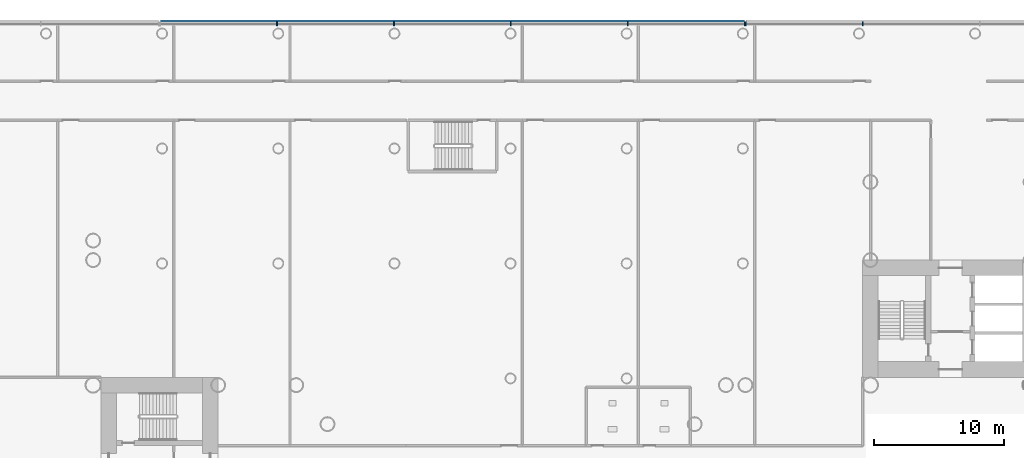
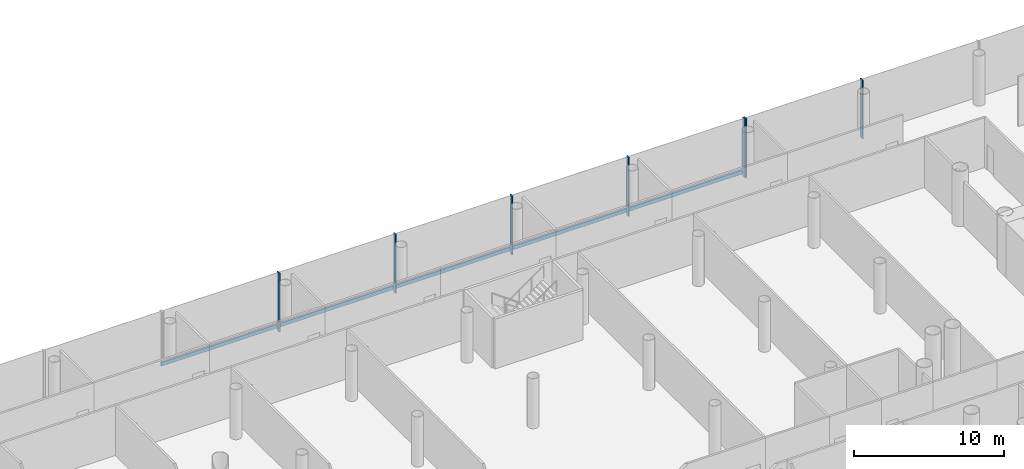
# One storey, part 11 of 49: 8 members, 2 elements without a shape of their own.
"""IFC4 building model written with IfcOpenShell, lengths in metres."""

from ifc_helpers import new_model, si_unit, direction, frame, origin, origin_2d, place, context, subcontext, project, spatial, rectangle, extrude, material, layer, layer_set, material_profile, profile_set, type_object, element, aggregate, save


model = new_model("IFC4")

# Units and contexts
model_context = context("Model", 3, precision=1e-05, world=origin(), true_north=direction((0.0, 1.0)))
body_context = subcontext(model_context, "Body", "Model", "MODEL_VIEW")
ifc_project = project(units=[si_unit("LENGTHUNIT", "METRE"), si_unit("AREAUNIT", "SQUARE_METRE"), si_unit("VOLUMEUNIT", "CUBIC_METRE"), si_unit("PLANEANGLEUNIT", "RADIAN"), si_unit("MASSUNIT", "GRAM", prefix="KILO")], contexts=[model_context])

# Site, building, storey
site_placement = place(None, origin())
site = spatial("IfcSite", under=ifc_project, at=site_placement, CompositionType="ELEMENT")
building_placement = place(site_placement, origin())
building = spatial("IfcBuilding", under=site, at=building_placement, Name="Ipe Terrace Towers", CompositionType="ELEMENT")
storey_placement = place(building_placement, frame((0.0, 0.0, 20.0)))
storey = spatial("IfcBuildingStorey", under=building, at=storey_placement, Name="L04", CompositionType="ELEMENT", Elevation=20.0)

# Curtain wall, members
ifc_material_1 = material(Name="Aluminium alloy 6063-T6", Category="aluminium")
ifc_layer = layer(ifc_material_1, 0.43994140625)
ifc_layer_set = layer_set([ifc_layer], Name="PODIUM GLAZING CURTAIN WALL")
curtain_wall_type = type_object("IfcCurtainWallType", Name="PODIUM GLAZING CURTAIN WALL", PredefinedType="NOTDEFINED", material=ifc_layer_set)
curtain_wall_1_placement = place(storey_placement, origin())
curtain_wall_1 = element("IfcCurtainWall", 1, at=curtain_wall_1_placement, inside=storey, type_object=curtain_wall_type, Name="POD-CW-L04-01a curtain wall", PredefinedType="NOTDEFINED")
ifc_material_2 = material(Name="Aluminium alloy 6063-T6", Category="aluminium")
ifc_material_profile_1 = material_profile(ifc_material_2, rectangle(XDim=0.300048828125, YDim=0.080078125, at=origin_2d()), Name="PODIUM GLAZING MULLION 300 x 80")
ifc_profile_set_1 = profile_set([ifc_material_profile_1], Name="Aluminium alloy 6063-T6")
member_type_1 = type_object("IfcMemberType", Name="PODIUM GLAZING MULLION 300 x 80", PredefinedType="MULLION", material=ifc_profile_set_1)
member_1_placement = place(storey_placement, frame((29.27392578125, 33.89990234375, -0.300048828125), z_axis=(0.0, 0.0, 1.0), x_axis=(0.0, 1.0, 0.0)))
member_1 = element("IfcMember", 2, at=member_1_placement, type_object=member_type_1, Name="POD-CW-L04-01a mullion 5", PredefinedType="MULLION", context=body_context, shape_type="SweptSolid", body=[
    extrude(rectangle(XDim=0.300048828125, YDim=0.080078125, at=origin_2d()), origin(), (0.0, 0.0, 1.0), 4.800048828125),
])
member_2_placement = place(storey_placement, frame((20.2900390625, 33.89990234375, -0.300048828125), z_axis=(0.0, 0.0, 1.0), x_axis=(0.0, 1.0, 0.0)))
member_2 = element("IfcMember", 3, at=member_2_placement, type_object=member_type_1, Name="POD-CW-L04-01a mullion 6", PredefinedType="MULLION", context=body_context, shape_type="SweptSolid", body=[
    extrude(rectangle(XDim=0.300048828125, YDim=0.080078125, at=origin_2d()), origin(), (0.0, 0.0, 1.0), 4.800048828125),
])
aggregate(curtain_wall_1, [member_1, member_2])

curtain_wall_2_placement = place(storey_placement, origin())
curtain_wall_2 = element("IfcCurtainWall", 4, at=curtain_wall_2_placement, inside=storey, type_object=curtain_wall_type, Name="POD-CW-L04-01b curtain wall", PredefinedType="NOTDEFINED")
member_3_placement = place(storey_placement, frame((20.2099609375, 33.89990234375, -0.300048828125), z_axis=(0.0, 0.0, 1.0), x_axis=(0.0, 1.0, 0.0)))
member_3 = element("IfcMember", 5, at=member_3_placement, type_object=member_type_1, Name="POD-CW-L04-01b mullion 1", PredefinedType="MULLION", context=body_context, shape_type="SweptSolid", body=[
    extrude(rectangle(XDim=0.300048828125, YDim=0.080078125, at=origin_2d()), origin(), (0.0, 0.0, 1.0), 4.800048828125),
])
member_4_placement = place(storey_placement, frame((11.22607421875, 33.89990234375, -0.300048828125), z_axis=(0.0, 0.0, 1.0), x_axis=(0.0, 1.0, 0.0)))
member_4 = element("IfcMember", 6, at=member_4_placement, type_object=member_type_1, Name="POD-CW-L04-01b mullion 2", PredefinedType="MULLION", context=body_context, shape_type="SweptSolid", body=[
    extrude(rectangle(XDim=0.300048828125, YDim=0.080078125, at=origin_2d()), origin(), (0.0, 0.0, 1.0), 4.800048828125),
])
member_5_placement = place(storey_placement, frame((2.241943359375, 33.89990234375, -0.300048828125), z_axis=(0.0, 0.0, 1.0), x_axis=(0.0, 1.0, 0.0)))
member_5 = element("IfcMember", 7, at=member_5_placement, type_object=member_type_1, Name="POD-CW-L04-01b mullion 3", PredefinedType="MULLION", context=body_context, shape_type="SweptSolid", body=[
    extrude(rectangle(XDim=0.300048828125, YDim=0.080078125, at=origin_2d()), origin(), (0.0, 0.0, 1.0), 4.800048828125),
])
member_6_placement = place(storey_placement, frame((-6.741943359375, 33.89990234375, -0.300048828125), z_axis=(0.0, 0.0, 1.0), x_axis=(0.0, 1.0, 0.0)))
member_6 = element("IfcMember", 8, at=member_6_placement, type_object=member_type_1, Name="POD-CW-L04-01b mullion 4", PredefinedType="MULLION", context=body_context, shape_type="SweptSolid", body=[
    extrude(rectangle(XDim=0.300048828125, YDim=0.080078125, at=origin_2d()), origin(), (0.0, 0.0, 1.0), 4.800048828125),
])
member_7_placement = place(storey_placement, frame((-15.72607421875, 33.89990234375, -0.300048828125), z_axis=(0.0, 0.0, 1.0), x_axis=(0.0, 1.0, 0.0)))
member_7 = element("IfcMember", 9, at=member_7_placement, type_object=member_type_1, Name="POD-CW-L04-01b mullion 5", PredefinedType="MULLION", context=body_context, shape_type="SweptSolid", body=[
    extrude(rectangle(XDim=0.300048828125, YDim=0.080078125, at=origin_2d()), origin(), (0.0, 0.0, 1.0), 4.800048828125),
])
ifc_material_3 = material(Name="Aluminium alloy 6063-T6", Category="aluminium")
ifc_material_profile_2 = material_profile(ifc_material_3, rectangle(XDim=0.139892578125, YDim=0.300048828125, at=origin_2d()), Name="PODIUM GLAZING TRANSOM 140 x 300")
ifc_profile_set_2 = profile_set([ifc_material_profile_2], Name="Aluminium alloy 6063-T6")
member_type_2 = type_object("IfcMemberType", Name="PODIUM GLAZING TRANSOM 140 x 300", PredefinedType="USERDEFINED", material=ifc_profile_set_2)
member_8_placement = place(storey_placement, frame((20.169921875, 34.1201171875, 0.0), z_axis=(-1.0, 0.0, 0.0), x_axis=(0.0, 1.0, 0.0)))
member_8 = element("IfcMember", 10, at=member_8_placement, type_object=member_type_2, Name="POD-CW-L04-01b transom", ObjectType="TRANSOM", PredefinedType="USERDEFINED", context=body_context, shape_type="SweptSolid", body=[
    extrude(rectangle(XDim=0.139892578125, YDim=0.300048828125, at=origin_2d()), origin(), (0.0, 0.0, 1.0), 44.83984375),
])
aggregate(curtain_wall_2, [member_3, member_4, member_5, member_6, member_7, member_8])

save(model, "model.ifc")
